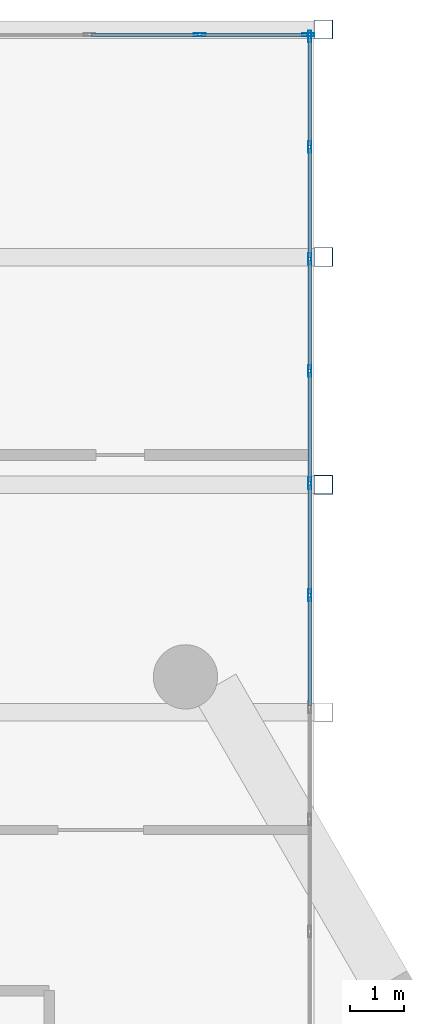
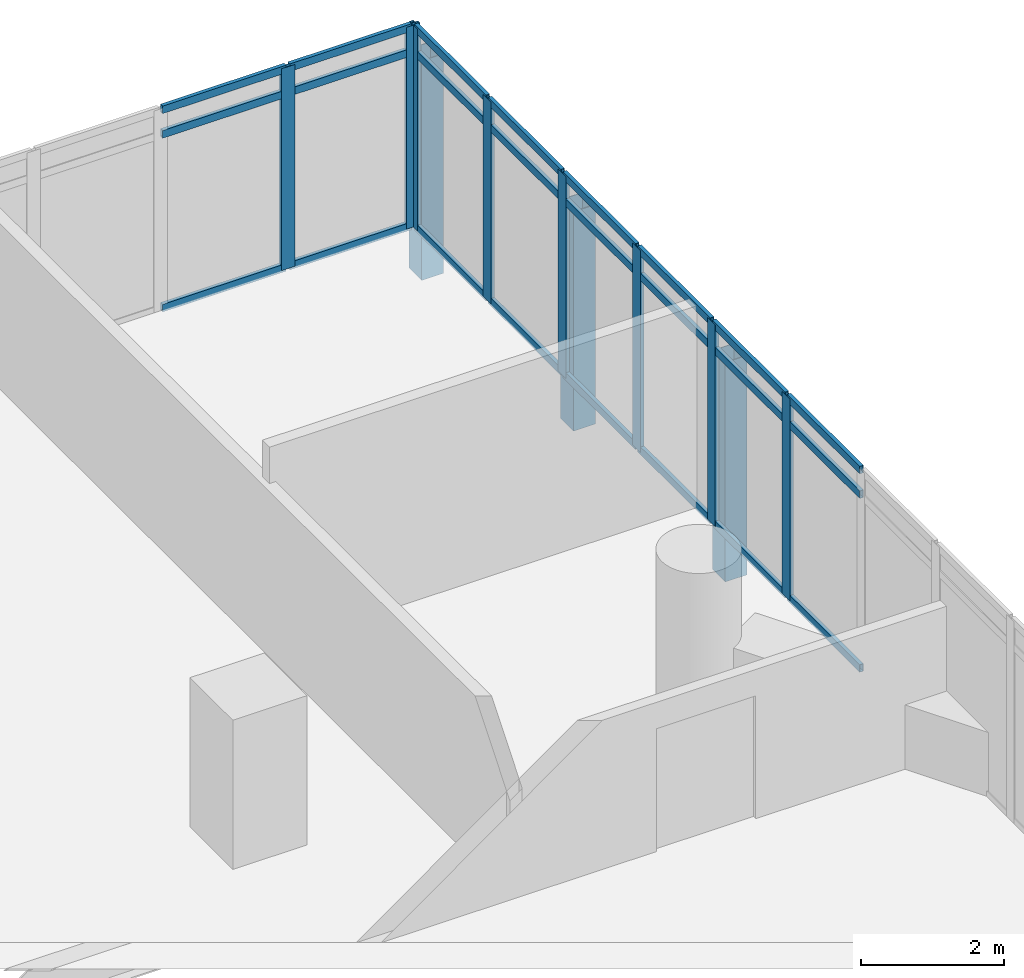
# One storey, part 25 of 38: 35 members, 2 elements without a shape of their own.
"""IFC4 building model written with IfcOpenShell, lengths in metres."""

from ifc_helpers import new_model, si_unit, direction, frame, origin, origin_2d, place, context, subcontext, project, spatial, hollow_rectangle, extrude, material, material_profile, profile_set, type_object, element, aggregate, save


model = new_model("IFC4")

# Units and contexts
model_context = context("Model", 3, precision=1e-05, world=origin(), true_north=direction((0.0, 1.0)))
body_context = subcontext(model_context, "Body", "Model", "MODEL_VIEW")
ifc_project = project(units=[si_unit("LENGTHUNIT", "METRE"), si_unit("AREAUNIT", "SQUARE_METRE"), si_unit("VOLUMEUNIT", "CUBIC_METRE"), si_unit("PLANEANGLEUNIT", "RADIAN"), si_unit("MASSUNIT", "GRAM", prefix="KILO")], contexts=[model_context])

# Site, building, storey
site_placement = place(None, origin())
site = spatial("IfcSite", under=ifc_project, at=site_placement, CompositionType="ELEMENT")
building_placement = place(site_placement, origin())
building = spatial("IfcBuilding", under=site, at=building_placement, Name="Ostrander Bayou Hotel Tower", CompositionType="ELEMENT")
storey_placement = place(building_placement, frame((0.0, 0.0, 96.75)))
storey = spatial("IfcBuildingStorey", under=building, at=storey_placement, Name="L24", CompositionType="ELEMENT", Elevation=96.75)

# Curtain wall, members
ifc_material_1 = material(Name="Aluminium and clear glass", Category="aluminium")
curtain_wall_type = type_object("IfcCurtainWallType", Name="CW-BAR glazed wall", PredefinedType="NOTDEFINED", material=ifc_material_1)
curtain_wall_1_placement = place(storey_placement, origin())
curtain_wall_1 = element("IfcCurtainWall", 1, at=curtain_wall_1_placement, inside=storey, type_object=curtain_wall_type, Name="CW-BAR L24:SB2N:T", PredefinedType="NOTDEFINED")
ifc_material_2 = material(Name="Aluminium", Category="aluminium")
ifc_material_profile_1 = material_profile(ifc_material_2, hollow_rectangle(XDim=0.06005859375, YDim=0.219970703125, WallThickness=0.00390625, at=origin_2d()))
ifc_profile_set_1 = profile_set([ifc_material_profile_1], Name="Aluminium")
member_type_1 = type_object("IfcMemberType", Name="CW-BR mullion 60 x 220 mm", PredefinedType="MULLION", material=ifc_profile_set_1)
member_1_placement = place(storey_placement, frame((11.310791015625, 31.4453125, 0.0), z_axis=(0.0, 0.0, 1.0), x_axis=(0.0, 1.0, 0.0)))
member_1 = element("IfcMember", 2, at=member_1_placement, type_object=member_type_1, Name="CW-BAR mullion 13", PredefinedType="MULLION", context=body_context, shape_type="SweptSolid", body=[
    extrude(hollow_rectangle(XDim=0.06005859375, YDim=0.219970703125, WallThickness=0.00390625, at=origin_2d()), origin(), (0.0, 0.0, 1.0), 3.449951171875),
])
member_2_placement = place(storey_placement, frame((13.337158203125, 31.4453125, 0.0), z_axis=(0.0, 0.0, 1.0), x_axis=(0.0, 1.0, 0.0)))
member_2 = element("IfcMember", 3, at=member_2_placement, type_object=member_type_1, Name="CW-BAR mullion 14", PredefinedType="MULLION", context=body_context, shape_type="SweptSolid", body=[
    extrude(hollow_rectangle(XDim=0.06005859375, YDim=0.219970703125, WallThickness=0.00390625, at=origin_2d()), origin(), (0.0, 0.0, 1.0), 3.449951171875),
])

curtain_wall_2_placement = place(storey_placement, origin())
curtain_wall_2 = element("IfcCurtainWall", 4, at=curtain_wall_2_placement, inside=storey, type_object=curtain_wall_type, Name="CW-BAR L24:SB2N:W", PredefinedType="NOTDEFINED")
member_3_placement = place(storey_placement, frame((13.3671875, 20.982666015625, 0.0), z_axis=(0.0, 0.0, 1.0), x_axis=(-1.0, 0.0, 0.0)))
member_3 = element("IfcMember", 5, at=member_3_placement, type_object=member_type_1, Name="CW-BAR mullion 6", PredefinedType="MULLION", context=body_context, shape_type="SweptSolid", body=[
    extrude(hollow_rectangle(XDim=0.06005859375, YDim=0.219970703125, WallThickness=0.00390625, at=origin_2d()), origin(), (0.0, 0.0, 1.0), 3.449951171875),
])
member_4_placement = place(storey_placement, frame((13.3671875, 23.0751953125, 0.0), z_axis=(0.0, 0.0, 1.0), x_axis=(-1.0, 0.0, 0.0)))
member_4 = element("IfcMember", 6, at=member_4_placement, type_object=member_type_1, Name="CW-BAR mullion 7", PredefinedType="MULLION", context=body_context, shape_type="SweptSolid", body=[
    extrude(hollow_rectangle(XDim=0.06005859375, YDim=0.219970703125, WallThickness=0.00390625, at=origin_2d()), origin(), (0.0, 0.0, 1.0), 3.449951171875),
])
member_5_placement = place(storey_placement, frame((13.3671875, 25.167724609375, 0.0), z_axis=(0.0, 0.0, 1.0), x_axis=(-1.0, 0.0, 0.0)))
member_5 = element("IfcMember", 7, at=member_5_placement, type_object=member_type_1, Name="CW-BAR mullion 8", PredefinedType="MULLION", context=body_context, shape_type="SweptSolid", body=[
    extrude(hollow_rectangle(XDim=0.06005859375, YDim=0.219970703125, WallThickness=0.00390625, at=origin_2d()), origin(), (0.0, 0.0, 1.0), 3.449951171875),
])
member_6_placement = place(storey_placement, frame((13.3671875, 27.26025390625, 0.0), z_axis=(0.0, 0.0, 1.0), x_axis=(-1.0, 0.0, 0.0)))
member_6 = element("IfcMember", 8, at=member_6_placement, type_object=member_type_1, Name="CW-BAR mullion 9", PredefinedType="MULLION", context=body_context, shape_type="SweptSolid", body=[
    extrude(hollow_rectangle(XDim=0.06005859375, YDim=0.219970703125, WallThickness=0.00390625, at=origin_2d()), origin(), (0.0, 0.0, 1.0), 3.449951171875),
])
member_7_placement = place(storey_placement, frame((13.3671875, 29.352783203125, 0.0), z_axis=(0.0, 0.0, 1.0), x_axis=(-1.0, 0.0, 0.0)))
member_7 = element("IfcMember", 9, at=member_7_placement, type_object=member_type_1, Name="CW-BAR mullion 10", PredefinedType="MULLION", context=body_context, shape_type="SweptSolid", body=[
    extrude(hollow_rectangle(XDim=0.06005859375, YDim=0.219970703125, WallThickness=0.00390625, at=origin_2d()), origin(), (0.0, 0.0, 1.0), 3.449951171875),
])
member_8_placement = place(storey_placement, frame((13.3671875, 31.415283203125, 0.0), z_axis=(0.0, 0.0, 1.0), x_axis=(-1.0, 0.0, 0.0)))
member_8 = element("IfcMember", 10, at=member_8_placement, type_object=member_type_1, Name="CW-BAR mullion 11", PredefinedType="MULLION", context=body_context, shape_type="SweptSolid", body=[
    extrude(hollow_rectangle(XDim=0.06005859375, YDim=0.219970703125, WallThickness=0.00390625, at=origin_2d()), origin(), (0.0, 0.0, 1.0), 3.449951171875),
])

# Member
ifc_material_3 = material(Name="Aluminium", Category="aluminium")
ifc_material_profile_2 = material_profile(ifc_material_3, hollow_rectangle(XDim=0.06005859375, YDim=0.1298828125, WallThickness=0.00390625, at=origin_2d()))
ifc_profile_set_2 = profile_set([ifc_material_profile_2], Name="Aluminium")
member_type_2 = type_object("IfcMemberType", Name="CW-BR transom 60 x 130 mm", PredefinedType="USERDEFINED", material=ifc_profile_set_2)
member_9_placement = place(storey_placement, frame((9.2841796875, 31.4453125, 0.030029296875), z_axis=(1.0, 0.0, 0.0), x_axis=(0.0, 1.0, 0.0)))
member_9 = element("IfcMember", 11, at=member_9_placement, type_object=member_type_2, Name="CW-BAR transom 12.1", ObjectType="TRANSOM", PredefinedType="USERDEFINED", context=body_context, shape_type="SweptSolid", body=[
    extrude(hollow_rectangle(XDim=0.06005859375, YDim=0.1298828125, WallThickness=0.00390625, at=origin_2d()), origin(), (0.0, 0.0, 1.0), 1.99658203125),
])

member_10_placement = place(storey_placement, frame((9.2841796875, 31.4453125, 3.0), z_axis=(1.0, 0.0, 0.0), x_axis=(0.0, 1.0, 0.0)))
member_10 = element("IfcMember", 12, at=member_10_placement, type_object=member_type_2, Name="CW-BAR transom 12.2", ObjectType="TRANSOM", PredefinedType="USERDEFINED", context=body_context, shape_type="SweptSolid", body=[
    extrude(hollow_rectangle(XDim=0.06005859375, YDim=0.1298828125, WallThickness=0.00390625, at=origin_2d()), origin(), (0.0, 0.0, 1.0), 1.99658203125),
])

member_11_placement = place(storey_placement, frame((9.2841796875, 31.4453125, 3.419921875), z_axis=(1.0, 0.0, 0.0), x_axis=(0.0, 1.0, 0.0)))
member_11 = element("IfcMember", 13, at=member_11_placement, type_object=member_type_2, Name="CW-BAR transom 12.3", ObjectType="TRANSOM", PredefinedType="USERDEFINED", context=body_context, shape_type="SweptSolid", body=[
    extrude(hollow_rectangle(XDim=0.06005859375, YDim=0.1298828125, WallThickness=0.00390625, at=origin_2d()), origin(), (0.0, 0.0, 1.0), 1.99658203125),
])

member_12_placement = place(storey_placement, frame((11.3408203125, 31.4453125, 0.030029296875), z_axis=(1.0, 0.0, 0.0), x_axis=(0.0, 1.0, 0.0)))
member_12 = element("IfcMember", 14, at=member_12_placement, type_object=member_type_2, Name="CW-BAR transom 13.1", ObjectType="TRANSOM", PredefinedType="USERDEFINED", context=body_context, shape_type="SweptSolid", body=[
    extrude(hollow_rectangle(XDim=0.06005859375, YDim=0.1298828125, WallThickness=0.00390625, at=origin_2d()), origin(), (0.0, 0.0, 1.0), 1.96630859375),
])

member_13_placement = place(storey_placement, frame((11.3408203125, 31.4453125, 3.0), z_axis=(1.0, 0.0, 0.0), x_axis=(0.0, 1.0, 0.0)))
member_13 = element("IfcMember", 15, at=member_13_placement, type_object=member_type_2, Name="CW-BAR transom 13.2", ObjectType="TRANSOM", PredefinedType="USERDEFINED", context=body_context, shape_type="SweptSolid", body=[
    extrude(hollow_rectangle(XDim=0.06005859375, YDim=0.1298828125, WallThickness=0.00390625, at=origin_2d()), origin(), (0.0, 0.0, 1.0), 1.96630859375),
])

member_14_placement = place(storey_placement, frame((11.3408203125, 31.4453125, 3.419921875), z_axis=(1.0, 0.0, 0.0), x_axis=(0.0, 1.0, 0.0)))
member_14 = element("IfcMember", 16, at=member_14_placement, type_object=member_type_2, Name="CW-BAR transom 13.3", ObjectType="TRANSOM", PredefinedType="USERDEFINED", context=body_context, shape_type="SweptSolid", body=[
    extrude(hollow_rectangle(XDim=0.06005859375, YDim=0.1298828125, WallThickness=0.00390625, at=origin_2d()), origin(), (0.0, 0.0, 1.0), 1.96630859375),
])

aggregate(curtain_wall_1, [member_1, member_2, member_9, member_10, member_11, member_12, member_13, member_14])

member_15_placement = place(storey_placement, frame((13.3671875, 18.920166015625, 0.030029296875), z_axis=(0.0, 1.0, 0.0), x_axis=(-1.0, 0.0, 0.0)))
member_15 = element("IfcMember", 17, at=member_15_placement, type_object=member_type_2, Name="CW-BAR transom 5.1", ObjectType="TRANSOM", PredefinedType="USERDEFINED", context=body_context, shape_type="SweptSolid", body=[
    extrude(hollow_rectangle(XDim=0.06005859375, YDim=0.1298828125, WallThickness=0.00390625, at=origin_2d()), origin(), (0.0, 0.0, 1.0), 2.032470703125),
])

member_16_placement = place(storey_placement, frame((13.3671875, 18.920166015625, 3.0), z_axis=(0.0, 1.0, 0.0), x_axis=(-1.0, 0.0, 0.0)))
member_16 = element("IfcMember", 18, at=member_16_placement, type_object=member_type_2, Name="CW-BAR transom 5.2", ObjectType="TRANSOM", PredefinedType="USERDEFINED", context=body_context, shape_type="SweptSolid", body=[
    extrude(hollow_rectangle(XDim=0.06005859375, YDim=0.1298828125, WallThickness=0.00390625, at=origin_2d()), origin(), (0.0, 0.0, 1.0), 2.032470703125),
])

member_17_placement = place(storey_placement, frame((13.3671875, 18.920166015625, 3.419921875), z_axis=(0.0, 1.0, 0.0), x_axis=(-1.0, 0.0, 0.0)))
member_17 = element("IfcMember", 19, at=member_17_placement, type_object=member_type_2, Name="CW-BAR transom 5.3", ObjectType="TRANSOM", PredefinedType="USERDEFINED", context=body_context, shape_type="SweptSolid", body=[
    extrude(hollow_rectangle(XDim=0.06005859375, YDim=0.1298828125, WallThickness=0.00390625, at=origin_2d()), origin(), (0.0, 0.0, 1.0), 2.032470703125),
])

member_18_placement = place(storey_placement, frame((13.3671875, 21.0126953125, 0.030029296875), z_axis=(0.0, 1.0, 0.0), x_axis=(-1.0, 0.0, 0.0)))
member_18 = element("IfcMember", 20, at=member_18_placement, type_object=member_type_2, Name="CW-BAR transom 6.1", ObjectType="TRANSOM", PredefinedType="USERDEFINED", context=body_context, shape_type="SweptSolid", body=[
    extrude(hollow_rectangle(XDim=0.06005859375, YDim=0.1298828125, WallThickness=0.00390625, at=origin_2d()), origin(), (0.0, 0.0, 1.0), 2.032470703125),
])

member_19_placement = place(storey_placement, frame((13.3671875, 21.0126953125, 3.0), z_axis=(0.0, 1.0, 0.0), x_axis=(-1.0, 0.0, 0.0)))
member_19 = element("IfcMember", 21, at=member_19_placement, type_object=member_type_2, Name="CW-BAR transom 6.2", ObjectType="TRANSOM", PredefinedType="USERDEFINED", context=body_context, shape_type="SweptSolid", body=[
    extrude(hollow_rectangle(XDim=0.06005859375, YDim=0.1298828125, WallThickness=0.00390625, at=origin_2d()), origin(), (0.0, 0.0, 1.0), 2.032470703125),
])

member_20_placement = place(storey_placement, frame((13.3671875, 21.0126953125, 3.419921875), z_axis=(0.0, 1.0, 0.0), x_axis=(-1.0, 0.0, 0.0)))
member_20 = element("IfcMember", 22, at=member_20_placement, type_object=member_type_2, Name="CW-BAR transom 6.3", ObjectType="TRANSOM", PredefinedType="USERDEFINED", context=body_context, shape_type="SweptSolid", body=[
    extrude(hollow_rectangle(XDim=0.06005859375, YDim=0.1298828125, WallThickness=0.00390625, at=origin_2d()), origin(), (0.0, 0.0, 1.0), 2.032470703125),
])

member_21_placement = place(storey_placement, frame((13.3671875, 23.105224609375, 0.030029296875), z_axis=(0.0, 1.0, 0.0), x_axis=(-1.0, 0.0, 0.0)))
member_21 = element("IfcMember", 23, at=member_21_placement, type_object=member_type_2, Name="CW-BAR transom 7.1", ObjectType="TRANSOM", PredefinedType="USERDEFINED", context=body_context, shape_type="SweptSolid", body=[
    extrude(hollow_rectangle(XDim=0.06005859375, YDim=0.1298828125, WallThickness=0.00390625, at=origin_2d()), origin(), (0.0, 0.0, 1.0), 2.032470703125),
])

member_22_placement = place(storey_placement, frame((13.3671875, 23.105224609375, 3.0), z_axis=(0.0, 1.0, 0.0), x_axis=(-1.0, 0.0, 0.0)))
member_22 = element("IfcMember", 24, at=member_22_placement, type_object=member_type_2, Name="CW-BAR transom 7.2", ObjectType="TRANSOM", PredefinedType="USERDEFINED", context=body_context, shape_type="SweptSolid", body=[
    extrude(hollow_rectangle(XDim=0.06005859375, YDim=0.1298828125, WallThickness=0.00390625, at=origin_2d()), origin(), (0.0, 0.0, 1.0), 2.032470703125),
])

member_23_placement = place(storey_placement, frame((13.3671875, 23.105224609375, 3.419921875), z_axis=(0.0, 1.0, 0.0), x_axis=(-1.0, 0.0, 0.0)))
member_23 = element("IfcMember", 25, at=member_23_placement, type_object=member_type_2, Name="CW-BAR transom 7.3", ObjectType="TRANSOM", PredefinedType="USERDEFINED", context=body_context, shape_type="SweptSolid", body=[
    extrude(hollow_rectangle(XDim=0.06005859375, YDim=0.1298828125, WallThickness=0.00390625, at=origin_2d()), origin(), (0.0, 0.0, 1.0), 2.032470703125),
])

member_24_placement = place(storey_placement, frame((13.3671875, 25.19775390625, 0.030029296875), z_axis=(0.0, 1.0, 0.0), x_axis=(-1.0, 0.0, 0.0)))
member_24 = element("IfcMember", 26, at=member_24_placement, type_object=member_type_2, Name="CW-BAR transom 8.1", ObjectType="TRANSOM", PredefinedType="USERDEFINED", context=body_context, shape_type="SweptSolid", body=[
    extrude(hollow_rectangle(XDim=0.06005859375, YDim=0.1298828125, WallThickness=0.00390625, at=origin_2d()), origin(), (0.0, 0.0, 1.0), 2.032470703125),
])

member_25_placement = place(storey_placement, frame((13.3671875, 25.19775390625, 3.0), z_axis=(0.0, 1.0, 0.0), x_axis=(-1.0, 0.0, 0.0)))
member_25 = element("IfcMember", 27, at=member_25_placement, type_object=member_type_2, Name="CW-BAR transom 8.2", ObjectType="TRANSOM", PredefinedType="USERDEFINED", context=body_context, shape_type="SweptSolid", body=[
    extrude(hollow_rectangle(XDim=0.06005859375, YDim=0.1298828125, WallThickness=0.00390625, at=origin_2d()), origin(), (0.0, 0.0, 1.0), 2.032470703125),
])

member_26_placement = place(storey_placement, frame((13.3671875, 25.19775390625, 3.419921875), z_axis=(0.0, 1.0, 0.0), x_axis=(-1.0, 0.0, 0.0)))
member_26 = element("IfcMember", 28, at=member_26_placement, type_object=member_type_2, Name="CW-BAR transom 8.3", ObjectType="TRANSOM", PredefinedType="USERDEFINED", context=body_context, shape_type="SweptSolid", body=[
    extrude(hollow_rectangle(XDim=0.06005859375, YDim=0.1298828125, WallThickness=0.00390625, at=origin_2d()), origin(), (0.0, 0.0, 1.0), 2.032470703125),
])

member_27_placement = place(storey_placement, frame((13.3671875, 27.290283203125, 0.030029296875), z_axis=(0.0, 1.0, 0.0), x_axis=(-1.0, 0.0, 0.0)))
member_27 = element("IfcMember", 29, at=member_27_placement, type_object=member_type_2, Name="CW-BAR transom 9.1", ObjectType="TRANSOM", PredefinedType="USERDEFINED", context=body_context, shape_type="SweptSolid", body=[
    extrude(hollow_rectangle(XDim=0.06005859375, YDim=0.1298828125, WallThickness=0.00390625, at=origin_2d()), origin(), (0.0, 0.0, 1.0), 2.032470703125),
])

member_28_placement = place(storey_placement, frame((13.3671875, 27.290283203125, 3.0), z_axis=(0.0, 1.0, 0.0), x_axis=(-1.0, 0.0, 0.0)))
member_28 = element("IfcMember", 30, at=member_28_placement, type_object=member_type_2, Name="CW-BAR transom 9.2", ObjectType="TRANSOM", PredefinedType="USERDEFINED", context=body_context, shape_type="SweptSolid", body=[
    extrude(hollow_rectangle(XDim=0.06005859375, YDim=0.1298828125, WallThickness=0.00390625, at=origin_2d()), origin(), (0.0, 0.0, 1.0), 2.032470703125),
])

member_29_placement = place(storey_placement, frame((13.3671875, 27.290283203125, 3.419921875), z_axis=(0.0, 1.0, 0.0), x_axis=(-1.0, 0.0, 0.0)))
member_29 = element("IfcMember", 31, at=member_29_placement, type_object=member_type_2, Name="CW-BAR transom 9.3", ObjectType="TRANSOM", PredefinedType="USERDEFINED", context=body_context, shape_type="SweptSolid", body=[
    extrude(hollow_rectangle(XDim=0.06005859375, YDim=0.1298828125, WallThickness=0.00390625, at=origin_2d()), origin(), (0.0, 0.0, 1.0), 2.032470703125),
])

member_30_placement = place(storey_placement, frame((13.3671875, 29.3828125, 0.030029296875), z_axis=(0.0, 1.0, 0.0), x_axis=(-1.0, 0.0, 0.0)))
member_30 = element("IfcMember", 32, at=member_30_placement, type_object=member_type_2, Name="CW-BAR transom 10.1", ObjectType="TRANSOM", PredefinedType="USERDEFINED", context=body_context, shape_type="SweptSolid", body=[
    extrude(hollow_rectangle(XDim=0.06005859375, YDim=0.1298828125, WallThickness=0.00390625, at=origin_2d()), origin(), (0.0, 0.0, 1.0), 2.002685546875),
])

member_31_placement = place(storey_placement, frame((13.3671875, 29.3828125, 3.0), z_axis=(0.0, 1.0, 0.0), x_axis=(-1.0, 0.0, 0.0)))
member_31 = element("IfcMember", 33, at=member_31_placement, type_object=member_type_2, Name="CW-BAR transom 10.2", ObjectType="TRANSOM", PredefinedType="USERDEFINED", context=body_context, shape_type="SweptSolid", body=[
    extrude(hollow_rectangle(XDim=0.06005859375, YDim=0.1298828125, WallThickness=0.00390625, at=origin_2d()), origin(), (0.0, 0.0, 1.0), 2.002685546875),
])

member_32_placement = place(storey_placement, frame((13.3671875, 29.3828125, 3.419921875), z_axis=(0.0, 1.0, 0.0), x_axis=(-1.0, 0.0, 0.0)))
member_32 = element("IfcMember", 34, at=member_32_placement, type_object=member_type_2, Name="CW-BAR transom 10.3", ObjectType="TRANSOM", PredefinedType="USERDEFINED", context=body_context, shape_type="SweptSolid", body=[
    extrude(hollow_rectangle(XDim=0.06005859375, YDim=0.1298828125, WallThickness=0.00390625, at=origin_2d()), origin(), (0.0, 0.0, 1.0), 2.002685546875),
])

aggregate(curtain_wall_2, [member_3, member_4, member_5, member_6, member_7, member_8, member_15, member_16, member_17, member_18, member_19, member_20, member_21, member_22, member_23, member_24, member_25, member_26, member_27, member_28, member_29, member_30, member_31, member_32])

# Members
ifc_material_4 = material(Name="Steel ASTM A500 Gr C", Category="steel")
ifc_material_profile_3 = material_profile(ifc_material_4, hollow_rectangle(XDim=0.355712890625, YDim=0.355712890625, WallThickness=0.01171875, at=origin_2d()))
ifc_profile_set_3 = profile_set([ifc_material_profile_3], Name="Steel ASTM A500 Gr C")
member_type_3 = type_object("IfcMemberType", Name="TH2 bar hanger HSS14x14x1/2", PredefinedType="POST", material=ifc_profile_set_3)
for number, where, z_axis, x_axis, name in (
    (35, (13.6201171875, 31.54541015625, -0.921875), (0.0, 0.0, 1.0), (1.0, 0.0, 0.0), "TH2 SB2WB H1-2"),
    (36, (13.6201171875, 27.295654296875, -0.921875), (0.0, 0.0, 1.0), (1.0, 0.0, 0.0), "TH2 SB2WB H2-2"),
    (37, (13.6201171875, 23.0458984375, -0.921875), (0.0, 0.0, 1.0), (1.0, 0.0, 0.0), "TH2 SB2WB H3-2"),
):
    element("IfcMember", number, at=place(storey_placement, frame(where, z_axis=z_axis, x_axis=x_axis)), inside=storey, type_object=member_type_3, Name=name, PredefinedType="POST", context=body_context, shape_type="SweptSolid", body=[
        extrude(hollow_rectangle(XDim=0.355712890625, YDim=0.355712890625, WallThickness=0.01171875, at=origin_2d()), origin(), (0.0, 0.0, 1.0), 3.75),
    ])

save(model, "model.ifc")
